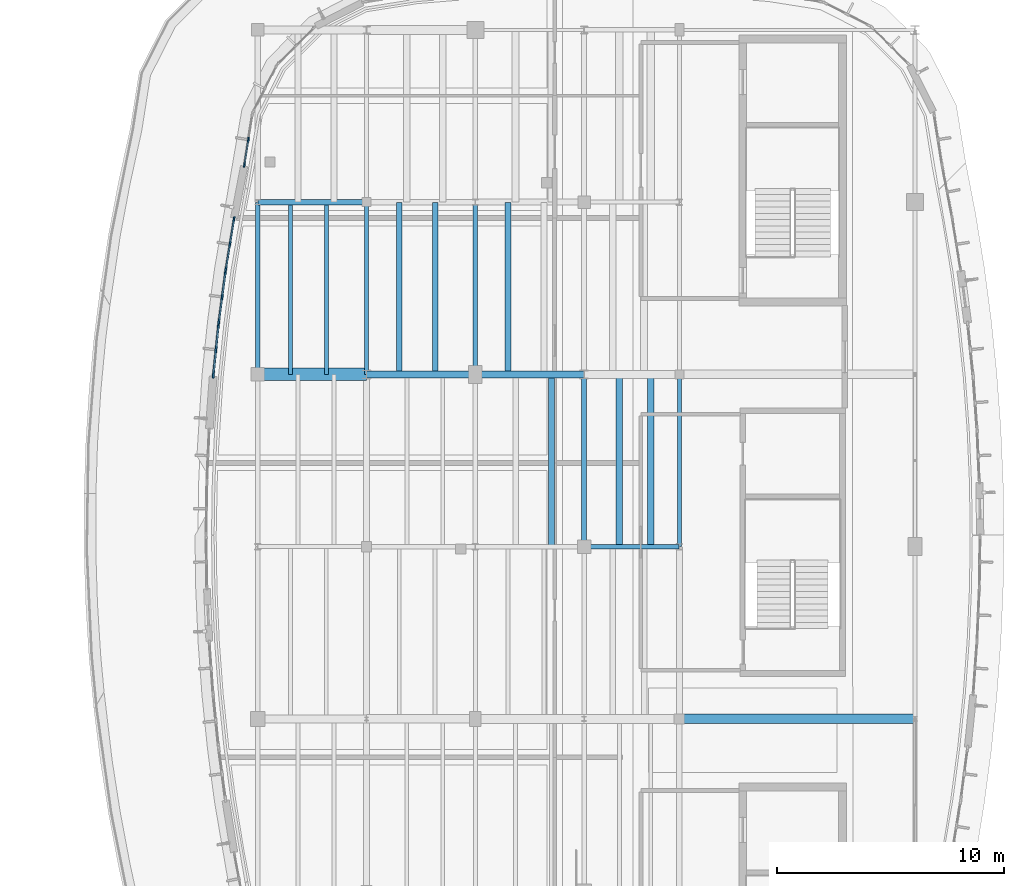
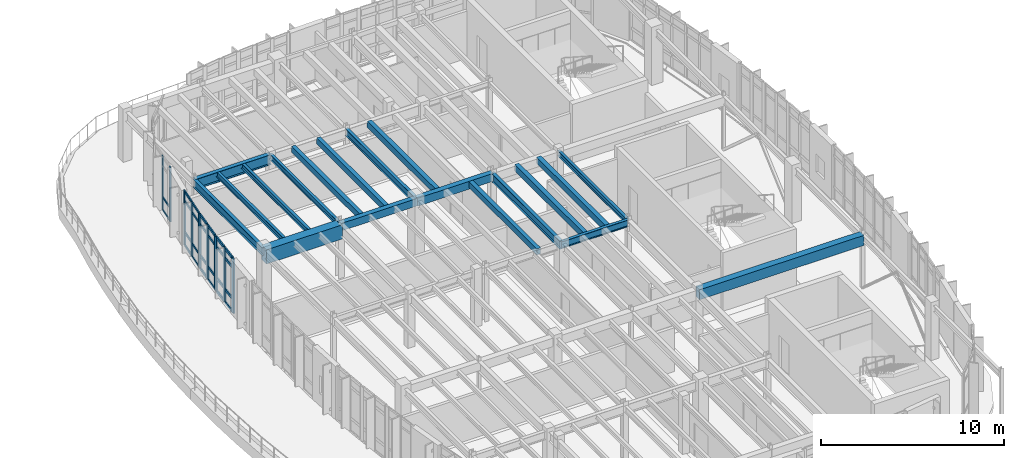
# One storey, part 45 of 105: 37 members, 19 beams, 4 elements without a shape of their own.
"""IFC4 building model written with IfcOpenShell, lengths in metres."""

from ifc_helpers import new_model, si_unit, direction, frame, origin, origin_2d, place, context, subcontext, project, spatial, rectangle, i_section, extrude, material, material_profile, profile_set, type_object, element, aggregate, save


model = new_model("IFC4")

# Units and contexts
model_context = context("Model", 3, precision=1e-05, world=origin(), true_north=direction((0.0, 1.0)))
body_context = subcontext(model_context, "Body", "Model", "MODEL_VIEW")
ifc_project = project(units=[si_unit("LENGTHUNIT", "METRE"), si_unit("AREAUNIT", "SQUARE_METRE"), si_unit("VOLUMEUNIT", "CUBIC_METRE"), si_unit("PLANEANGLEUNIT", "RADIAN"), si_unit("MASSUNIT", "GRAM", prefix="KILO")], contexts=[model_context])

# Site, building, storey
site_placement = place(None, origin())
site = spatial("IfcSite", under=ifc_project, at=site_placement, CompositionType="ELEMENT")
building_placement = place(site_placement, origin())
building = spatial("IfcBuilding", under=site, at=building_placement, Name="Corveleigh Park Community Centre", CompositionType="ELEMENT")
storey_placement = place(building_placement, frame((0.0, 0.0, 8.699951171875)))
storey = spatial("IfcBuildingStorey", under=building, at=storey_placement, Name="L02", CompositionType="ELEMENT", Elevation=8.699951171875)

# Beams
ifc_material_1 = material(Name="Concrete C40/50", Category="concrete")
ifc_material_profile_1 = material_profile(ifc_material_1, rectangle(XDim=0.25, YDim=0.39990234375, at=origin_2d()), Name="RC-250x400", Category="concrete")
ifc_profile_set_1 = profile_set([ifc_material_profile_1], Name="Concrete C40/50")
beam_type_1 = type_object("IfcBeamType", Name="BM-RC-250x400", PredefinedType="JOIST", material=ifc_profile_set_1)
for number, where, z_axis, x_axis, name in (
    (1, (145.639892578125, 89.0048828125, 3.442138671875), (0.0, 1.0, 0.0), (-1.0, 0.0, 0.0), "Secondary floor joist"),
    (2, (147.22412109375, 89.0048828125, 3.442138671875), (0.0, 1.0, 0.0), (-1.0, 0.0, 0.0), "Secondary floor joist"),
    (3, (152.360107421875, 81.405029296875, 3.442138671875), (0.0, 1.0, 0.0), (-1.0, 0.0, 0.0), "Secondary floor joist"),
):
    element("IfcBeam", number, at=place(storey_placement, frame(where, z_axis=z_axis, x_axis=x_axis)), inside=storey, type_object=beam_type_1, Name=name, PredefinedType="JOIST", context=body_context, shape_type="SweptSolid", body=[
        extrude(rectangle(XDim=0.25, YDim=0.39990234375, at=origin_2d()), origin(), (0.0, 0.0, 1.0), 7.590087890625),
    ])
ifc_material_profile_2 = material_profile(ifc_material_1, rectangle(XDim=0.27490234375, YDim=0.425048828125, at=origin_2d()), Name="RC-275x425", Category="concrete")
ifc_profile_set_2 = profile_set([ifc_material_profile_2], Name="Concrete C40/50")
beam_type_2 = type_object("IfcBeamType", Name="BM-RC-275x425", PredefinedType="JOIST", material=ifc_profile_set_2)
for number, where, z_axis, x_axis, name in (
    (4, (150.43994140625, 89.0048828125, 3.429443359375), (0.0, 1.0, 0.0), (-1.0, 0.0, 0.0), "Secondary floor joist"),
    (5, (155.35400390625, 81.405029296875, 3.429443359375), (0.0, 1.0, 0.0), (-1.0, 0.0, 0.0), "Secondary floor joist"),
    (6, (156.739990234375, 81.405029296875, 3.429443359375), (0.0, 1.0, 0.0), (-1.0, 0.0, 0.0), "Secondary floor joist"),
):
    element("IfcBeam", number, at=place(storey_placement, frame(where, z_axis=z_axis, x_axis=x_axis)), inside=storey, type_object=beam_type_2, Name=name, PredefinedType="JOIST", context=body_context, shape_type="SweptSolid", body=[
        extrude(rectangle(XDim=0.27490234375, YDim=0.425048828125, at=origin_2d()), origin(), (0.0, 0.0, 1.0), 7.590087890625),
    ])
ifc_material_profile_3 = material_profile(ifc_material_1, rectangle(XDim=0.300048828125, YDim=0.5, at=origin_2d()), Name="RC-300x500", Category="concrete")
ifc_profile_set_3 = profile_set([ifc_material_profile_3], Name="Concrete C40/50")
beam_type_3 = type_object("IfcBeamType", Name="BM-RC-300x500", PredefinedType="BEAM", material=ifc_profile_set_3)
beam_1_placement = place(storey_placement, frame((144.205078125, 89.0, 3.39208984375), z_axis=(1.0, 0.0, 0.0), x_axis=(0.0, 1.0, 0.0)))
element("IfcBeam", 7, at=beam_1_placement, inside=storey, type_object=beam_type_3, Name="V4 Girder X", PredefinedType="BEAM", context=body_context, shape_type="SweptSolid", body=[
    extrude(rectangle(XDim=0.300048828125, YDim=0.5, at=origin_2d()), origin(), (0.0, 0.0, 1.0), 4.7900390625),
])
ifc_material_profile_4 = material_profile(ifc_material_1, rectangle(XDim=0.324951171875, YDim=0.52490234375, at=origin_2d()), Name="RC-325x525", Category="concrete")
ifc_profile_set_4 = profile_set([ifc_material_profile_4], Name="Concrete C40/50")
beam_type_4 = type_object("IfcBeamType", Name="BM-RC-325x525", PredefinedType="BEAM", material=ifc_profile_set_4)
beam_2_placement = place(storey_placement, frame((149.0048828125, 89.0, 3.379638671875), z_axis=(1.0, 0.0, 0.0), x_axis=(0.0, 1.0, 0.0)))
element("IfcBeam", 8, at=beam_2_placement, inside=storey, type_object=beam_type_4, Name="V4 Girder X", PredefinedType="BEAM", context=body_context, shape_type="SweptSolid", body=[
    extrude(rectangle(XDim=0.324951171875, YDim=0.52490234375, at=origin_2d()), origin(), (0.0, 0.0, 1.0), 4.7900390625),
])
ifc_material_profile_5 = material_profile(ifc_material_1, rectangle(XDim=0.425048828125, YDim=0.675048828125, at=origin_2d()), Name="RC-425x675", Category="concrete")
ifc_profile_set_5 = profile_set([ifc_material_profile_5], Name="Concrete C40/50")
beam_type_5 = type_object("IfcBeamType", Name="BM-RC-425x675", PredefinedType="BEAM", material=ifc_profile_set_5)
beam_3_placement = place(storey_placement, frame((158.0048828125, 73.800048828125, 3.304443359375), z_axis=(1.0, 0.0, 0.0), x_axis=(0.0, 1.0, 0.0)))
element("IfcBeam", 9, at=beam_3_placement, inside=storey, type_object=beam_type_5, Name="V4 Girder X", PredefinedType="BEAM", context=body_context, shape_type="SweptSolid", body=[
    extrude(rectangle(XDim=0.425048828125, YDim=0.675048828125, at=origin_2d()), origin(), (0.0, 0.0, 1.0), 10.39013671875),
])
ifc_material_profile_6 = material_profile(ifc_material_1, rectangle(XDim=0.550048828125, YDim=0.949951171875, at=origin_2d()), Name="RC-550x950", Category="concrete")
ifc_profile_set_6 = profile_set([ifc_material_profile_6], Name="Concrete C40/50")
beam_type_6 = type_object("IfcBeamType", Name="BM-RC-550x950", PredefinedType="BEAM", material=ifc_profile_set_6)
beam_4_placement = place(storey_placement, frame((139.405029296875, 89.0, 3.162109375), z_axis=(1.0, 0.0, 0.0), x_axis=(0.0, 1.0, 0.0)))
element("IfcBeam", 10, at=beam_4_placement, inside=storey, type_object=beam_type_6, Name="V4 Girder X", PredefinedType="BEAM", context=body_context, shape_type="SweptSolid", body=[
    extrude(rectangle(XDim=0.550048828125, YDim=0.949951171875, at=origin_2d()), origin(), (0.0, 0.0, 1.0), 4.7900390625),
])
ifc_material_2 = material(Name="Steel S355", Category="steel")
ifc_material_profile_7 = material_profile(ifc_material_2, i_section(OverallWidth=0.17138671875, OverallDepth=0.35498046875, WebThickness=0.00732421875, FlangeThickness=0.011474609375, at=origin_2d()), Name="UKB 356x171x51", Category="steel")
ifc_profile_set_7 = profile_set([ifc_material_profile_7], Name="Steel S355")
beam_type_7 = type_object("IfcBeamType", Name="BM-STL-UKB356x51", PredefinedType="JOIST", material=ifc_profile_set_7)
for number, where, z_axis, x_axis, name in (
    (11, (140.840087890625, 89.0048828125, 3.45947265625), (0.0, 1.0, 0.0), (-1.0, 0.0, 0.0), "Secondary floor joist"),
    (12, (142.424072265625, 89.0048828125, 3.45947265625), (0.0, 1.0, 0.0), (-1.0, 0.0, 0.0), "Secondary floor joist"),
):
    element("IfcBeam", number, at=place(storey_placement, frame(where, z_axis=z_axis, x_axis=x_axis)), inside=storey, type_object=beam_type_7, Name=name, PredefinedType="JOIST", context=body_context, shape_type="SweptSolid", body=[
        extrude(i_section(OverallWidth=0.17138671875, OverallDepth=0.35498046875, WebThickness=0.00732421875, FlangeThickness=0.011474609375, at=origin_2d()), origin(), (0.0, 0.0, 1.0), 7.590087890625),
    ])
ifc_material_profile_8 = material_profile(ifc_material_2, i_section(OverallWidth=0.172119140625, OverallDepth=0.35791015625, WebThickness=0.008056640625, FlangeThickness=0.012939453125, at=origin_2d()), Name="UKB 356x171x57", Category="steel")
ifc_profile_set_8 = profile_set([ifc_material_profile_8], Name="Steel S355")
beam_type_8 = type_object("IfcBeamType", Name="BM-STL-UKB356x57", PredefinedType="BEAM", material=ifc_profile_set_8)
for number, where, z_axis, x_axis, name in (
    (13, (144.199951171875, 89.0048828125, 3.463134765625), (0.0, 1.0, 0.0), (-1.0, 0.0, 0.0), "V4 Girder Y"),
    (14, (158.0, 81.405029296875, 3.463134765625), (0.0, 1.0, 0.0), (-1.0, 0.0, 0.0), "V4 Girder Y"),
):
    element("IfcBeam", number, at=place(storey_placement, frame(where, z_axis=z_axis, x_axis=x_axis)), inside=storey, type_object=beam_type_8, Name=name, PredefinedType="BEAM", context=body_context, shape_type="SweptSolid", body=[
        extrude(i_section(OverallWidth=0.172119140625, OverallDepth=0.35791015625, WebThickness=0.008056640625, FlangeThickness=0.012939453125, at=origin_2d()), origin(), (0.0, 0.0, 1.0), 7.590087890625),
    ])
ifc_material_profile_9 = material_profile(ifc_material_2, i_section(OverallWidth=0.1904296875, OverallDepth=0.45703125, WebThickness=0.009033203125, FlangeThickness=0.014404296875, at=origin_2d()), Name="UKB 457x191x74", Category="steel")
ifc_profile_set_9 = profile_set([ifc_material_profile_9], Name="Steel S355")
beam_type_9 = type_object("IfcBeamType", Name="BM-STL-UKB457x74", PredefinedType="BEAM", material=ifc_profile_set_9)
beam_5_placement = place(storey_placement, frame((149.0, 89.0048828125, 3.41357421875), z_axis=(0.0, 1.0, 0.0), x_axis=(-1.0, 0.0, 0.0)))
element("IfcBeam", 15, at=beam_5_placement, inside=storey, type_object=beam_type_9, Name="V4 Girder Y", PredefinedType="BEAM", context=body_context, shape_type="SweptSolid", body=[
    extrude(i_section(OverallWidth=0.1904296875, OverallDepth=0.45703125, WebThickness=0.009033203125, FlangeThickness=0.014404296875, at=origin_2d()), origin(), (0.0, 0.0, 1.0), 7.590087890625),
])
ifc_material_profile_10 = material_profile(ifc_material_2, i_section(OverallWidth=0.19140625, OverallDepth=0.4599609375, WebThickness=0.010009765625, FlangeThickness=0.01611328125, at=origin_2d()), Name="UKB 457x191x82", Category="steel")
ifc_profile_set_10 = profile_set([ifc_material_profile_10], Name="Steel S355")
beam_type_10 = type_object("IfcBeamType", Name="BM-STL-UKB457x82", PredefinedType="BEAM", material=ifc_profile_set_10)
beam_6_placement = place(storey_placement, frame((153.804931640625, 81.39990234375, 3.412109375), z_axis=(1.0, 0.0, 0.0), x_axis=(0.0, 1.0, 0.0)))
element("IfcBeam", 16, at=beam_6_placement, inside=storey, type_object=beam_type_10, Name="V4 Girder X", PredefinedType="BEAM", context=body_context, shape_type="SweptSolid", body=[
    extrude(i_section(OverallWidth=0.19140625, OverallDepth=0.4599609375, WebThickness=0.010009765625, FlangeThickness=0.01611328125, at=origin_2d()), origin(), (0.0, 0.0, 1.0), 4.190185546875),
])
ifc_material_profile_11 = material_profile(ifc_material_2, i_section(OverallWidth=0.210693359375, OverallDepth=0.53955078125, WebThickness=0.01171875, FlangeThickness=0.018798828125, at=origin_2d()), Name="UKB 533x210x109", Category="steel")
ifc_profile_set_11 = profile_set([ifc_material_profile_11], Name="Steel S355")
beam_type_11 = type_object("IfcBeamType", Name="BM-STL-UKB533x109", PredefinedType="BEAM", material=ifc_profile_set_11)
for number, where, z_axis, x_axis, name in (
    (17, (139.39990234375, 89.0048828125, 3.3671875), (0.0, 1.0, 0.0), (-1.0, 0.0, 0.0), "V4 Girder Y"),
    (18, (153.800048828125, 81.405029296875, 3.372314453125), (0.0, 1.0, 0.0), (-1.0, 0.0, 0.0), "V4 Girder Y"),
):
    element("IfcBeam", number, at=place(storey_placement, frame(where, z_axis=z_axis, x_axis=x_axis)), inside=storey, type_object=beam_type_11, Name=name, PredefinedType="BEAM", context=body_context, shape_type="SweptSolid", body=[
        extrude(i_section(OverallWidth=0.210693359375, OverallDepth=0.53955078125, WebThickness=0.01171875, FlangeThickness=0.018798828125, at=origin_2d()), origin(), (0.0, 0.0, 1.0), 7.590087890625),
    ])
ifc_material_profile_12 = material_profile(ifc_material_2, i_section(OverallWidth=0.253662109375, OverallDepth=0.68359375, WebThickness=0.012451171875, FlangeThickness=0.01904296875, at=origin_2d()), Name="UKB 686x254x140", Category="steel")
ifc_profile_set_12 = profile_set([ifc_material_profile_12], Name="Steel S355")
beam_type_12 = type_object("IfcBeamType", Name="BM-STL-UKB686x140", PredefinedType="BEAM", material=ifc_profile_set_12)
beam_7_placement = place(storey_placement, frame((139.405029296875, 96.60009765625, 3.29541015625), z_axis=(1.0, 0.0, 0.0), x_axis=(0.0, 1.0, 0.0)))
element("IfcBeam", 19, at=beam_7_placement, inside=storey, type_object=beam_type_12, Name="V4 Girder X", PredefinedType="BEAM", context=body_context, shape_type="SweptSolid", body=[
    extrude(i_section(OverallWidth=0.253662109375, OverallDepth=0.68359375, WebThickness=0.012451171875, FlangeThickness=0.01904296875, at=origin_2d()), origin(), (0.0, 0.0, 1.0), 4.7900390625),
])

# Curtain wall, members
ifc_material_3 = material(Name="Anodised aluminium 6063-T6", Category="aluminium")
curtain_wall_type = type_object("IfcCurtainWallType", Name="CW-SYS-V4-L01", PredefinedType="NOTDEFINED", material=ifc_material_3)
curtain_wall_1_placement = place(storey_placement, origin())
curtain_wall_1 = element("IfcCurtainWall", 20, at=curtain_wall_1_placement, inside=storey, type_object=curtain_wall_type, Name="V4 L02 Curtain Wall 387", PredefinedType="NOTDEFINED")
ifc_material_profile_13 = material_profile(ifc_material_3, rectangle(XDim=0.070068359375, YDim=0.199951171875, at=origin_2d()), Name="ALU-M70x200", Category="aluminium")
ifc_profile_set_13 = profile_set([ifc_material_profile_13], Name="Anodised aluminium 6063-T6")
member_type_1 = type_object("IfcMemberType", Name="CWM-70x200", PredefinedType="MULLION", material=ifc_profile_set_13)
member_1_placement = place(storey_placement, frame((138.806396484375, 98.24365234375, 0.0), z_axis=(0.0, 0.0, 1.0), x_axis=(-0.987661875101, 0.156601470208, 0.0)))
member_1 = element("IfcMember", 21, at=member_1_placement, type_object=member_type_1, Name="CW08 mullion 1", PredefinedType="MULLION", context=body_context, shape_type="SweptSolid", body=[
    extrude(rectangle(XDim=0.070068359375, YDim=0.199951171875, at=origin_2d()), origin(), (0.0, 0.0, 1.0), 3.636962890625),
])
member_2_placement = place(storey_placement, frame((138.9833984375, 99.360107421875, 0.0), z_axis=(0.0, 0.0, 1.0), x_axis=(-0.987661875101, 0.156601470208, 0.0)))
member_2 = element("IfcMember", 22, at=member_2_placement, type_object=member_type_1, Name="CW08 mullion 2", PredefinedType="MULLION", context=body_context, shape_type="SweptSolid", body=[
    extrude(rectangle(XDim=0.070068359375, YDim=0.199951171875, at=origin_2d()), origin(), (0.0, 0.0, 1.0), 3.636962890625),
])

curtain_wall_2_placement = place(storey_placement, origin())
curtain_wall_2 = element("IfcCurtainWall", 23, at=curtain_wall_2_placement, inside=storey, type_object=curtain_wall_type, Name="V4 L02 Curtain Wall 388", PredefinedType="NOTDEFINED")
ifc_material_profile_14 = material_profile(ifc_material_3, rectangle(XDim=0.074951171875, YDim=0.219970703125, at=origin_2d()), Name="ALU-M75x220", Category="aluminium")
ifc_profile_set_14 = profile_set([ifc_material_profile_14], Name="Anodised aluminium 6063-T6")
member_type_2 = type_object("IfcMemberType", Name="CWM-75x220", PredefinedType="MULLION", material=ifc_profile_set_14)
member_3_placement = place(storey_placement, frame((137.987060546875, 93.62890625, 0.0), z_axis=(0.0, 0.0, 1.0), x_axis=(-0.986991410962, 0.160772991165, 0.0)))
member_3 = element("IfcMember", 24, at=member_3_placement, type_object=member_type_2, Name="CW08 mullion 1", PredefinedType="MULLION", context=body_context, shape_type="SweptSolid", body=[
    extrude(rectangle(XDim=0.074951171875, YDim=0.219970703125, at=origin_2d()), origin(), (0.0, 0.0, 1.0), 3.636962890625),
])
member_4_placement = place(storey_placement, frame((138.16796875, 94.739990234375, 0.0), z_axis=(0.0, 0.0, 1.0), x_axis=(-0.986991410962, 0.160772991165, 0.0)))
member_4 = element("IfcMember", 25, at=member_4_placement, type_object=member_type_2, Name="CW08 mullion 2", PredefinedType="MULLION", context=body_context, shape_type="SweptSolid", body=[
    extrude(rectangle(XDim=0.074951171875, YDim=0.219970703125, at=origin_2d()), origin(), (0.0, 0.0, 1.0), 3.636962890625),
])
member_5_placement = place(storey_placement, frame((138.348876953125, 95.85107421875, 0.0), z_axis=(0.0, 0.0, 1.0), x_axis=(-0.986991410962, 0.160772991165, 0.0)))
member_5 = element("IfcMember", 26, at=member_5_placement, type_object=member_type_2, Name="CW08 mullion 3", PredefinedType="MULLION", context=body_context, shape_type="SweptSolid", body=[
    extrude(rectangle(XDim=0.074951171875, YDim=0.219970703125, at=origin_2d()), origin(), (0.0, 0.0, 1.0), 3.636962890625),
])

curtain_wall_3_placement = place(storey_placement, origin())
curtain_wall_3 = element("IfcCurtainWall", 27, at=curtain_wall_3_placement, inside=storey, type_object=curtain_wall_type, Name="V4 L02 Curtain Wall 389", PredefinedType="NOTDEFINED")
ifc_material_profile_15 = material_profile(ifc_material_3, rectangle(XDim=0.080078125, YDim=0.25, at=origin_2d()), Name="ALU-M80x250", Category="aluminium")
ifc_profile_set_15 = profile_set([ifc_material_profile_15], Name="Anodised aluminium 6063-T6")
member_type_3 = type_object("IfcMemberType", Name="CWM-80x250", PredefinedType="MULLION", material=ifc_profile_set_15)
member_6_placement = place(storey_placement, frame((137.67822265625, 91.306640625, 0.0), z_axis=(0.0, 0.0, 1.0), x_axis=(-0.991317738614, 0.131488178592, 0.0)))
member_6 = element("IfcMember", 28, at=member_6_placement, type_object=member_type_3, Name="CW08 mullion 1", PredefinedType="MULLION", context=body_context, shape_type="SweptSolid", body=[
    extrude(rectangle(XDim=0.080078125, YDim=0.25, at=origin_2d()), origin(), (0.0, 0.0, 1.0), 3.636962890625),
])
member_7_placement = place(storey_placement, frame((137.825927734375, 92.42041015625, 0.0), z_axis=(0.0, 0.0, 1.0), x_axis=(-0.991317738614, 0.131488178592, 0.0)))
member_7 = element("IfcMember", 29, at=member_7_placement, type_object=member_type_3, Name="CW08 mullion 2", PredefinedType="MULLION", context=body_context, shape_type="SweptSolid", body=[
    extrude(rectangle(XDim=0.080078125, YDim=0.25, at=origin_2d()), origin(), (0.0, 0.0, 1.0), 3.636962890625),
])
member_8_placement = place(storey_placement, frame((137.9736328125, 93.534423828125, 0.0), z_axis=(0.0, 0.0, 1.0), x_axis=(-0.991317738614, 0.131488178592, 0.0)))
member_8 = element("IfcMember", 30, at=member_8_placement, type_object=member_type_3, Name="CW08 mullion 3", PredefinedType="MULLION", context=body_context, shape_type="SweptSolid", body=[
    extrude(rectangle(XDim=0.080078125, YDim=0.25, at=origin_2d()), origin(), (0.0, 0.0, 1.0), 3.636962890625),
])

curtain_wall_4_placement = place(storey_placement, origin())
curtain_wall_4 = element("IfcCurtainWall", 31, at=curtain_wall_4_placement, inside=storey, type_object=curtain_wall_type, Name="V4 L02 Curtain Wall 390", PredefinedType="NOTDEFINED")
ifc_material_profile_16 = material_profile(ifc_material_3, rectangle(XDim=0.0849609375, YDim=0.27490234375, at=origin_2d()), Name="ALU-M85x275", Category="aluminium")
ifc_profile_set_16 = profile_set([ifc_material_profile_16], Name="Anodised aluminium 6063-T6")
member_type_4 = type_object("IfcMemberType", Name="CWM-85x275", PredefinedType="MULLION", material=ifc_profile_set_16)
member_9_placement = place(storey_placement, frame((137.437255859375, 88.977294921875, 0.0), z_axis=(0.0, 0.0, 1.0), x_axis=(-0.994752310371, 0.102312467526, 0.0)))
member_9 = element("IfcMember", 32, at=member_9_placement, type_object=member_type_4, Name="CW08 mullion 1", PredefinedType="MULLION", context=body_context, shape_type="SweptSolid", body=[
    extrude(rectangle(XDim=0.0849609375, YDim=0.27490234375, at=origin_2d()), origin(), (0.0, 0.0, 1.0), 3.636962890625),
])
member_10_placement = place(storey_placement, frame((137.552001953125, 90.092041015625, 0.0), z_axis=(0.0, 0.0, 1.0), x_axis=(-0.994752310371, 0.102312467526, 0.0)))
member_10 = element("IfcMember", 33, at=member_10_placement, type_object=member_type_4, Name="CW08 mullion 2", PredefinedType="MULLION", context=body_context, shape_type="SweptSolid", body=[
    extrude(rectangle(XDim=0.0849609375, YDim=0.27490234375, at=origin_2d()), origin(), (0.0, 0.0, 1.0), 3.636962890625),
])
member_11_placement = place(storey_placement, frame((137.666748046875, 91.206787109375, 0.0), z_axis=(0.0, 0.0, 1.0), x_axis=(-0.994752310371, 0.102312467526, 0.0)))
member_11 = element("IfcMember", 34, at=member_11_placement, type_object=member_type_4, Name="CW08 mullion 3", PredefinedType="MULLION", context=body_context, shape_type="SweptSolid", body=[
    extrude(rectangle(XDim=0.0849609375, YDim=0.27490234375, at=origin_2d()), origin(), (0.0, 0.0, 1.0), 3.636962890625),
])

# Member
ifc_material_profile_17 = material_profile(ifc_material_3, rectangle(XDim=0.06494140625, YDim=0.139892578125, at=origin_2d()), Name="ALU-T65x140", Category="aluminium")
ifc_profile_set_17 = profile_set([ifc_material_profile_17], Name="Anodised aluminium 6063-T6")
member_type_5 = type_object("IfcMemberType", Name="CWT-65x140", PredefinedType="USERDEFINED", material=ifc_profile_set_17)
member_12_placement = place(storey_placement, frame((138.81201171875, 98.278076171875, 0.032470703125), z_axis=(0.156553666304, 0.987669453596, 0.0), x_axis=(-0.987669453596, 0.156553666304, 0.0)))
member_12 = element("IfcMember", 35, at=member_12_placement, type_object=member_type_5, Name="CW08 transom 1.1", ObjectType="TRANSOM", PredefinedType="USERDEFINED", context=body_context, shape_type="SweptSolid", body=[
    extrude(rectangle(XDim=0.06494140625, YDim=0.139892578125, at=origin_2d()), origin(), (0.0, 0.0, 1.0), 1.060546875),
])

member_13_placement = place(storey_placement, frame((138.81201171875, 98.278076171875, 0.900146484375), z_axis=(0.156553666304, 0.987669453596, 0.0), x_axis=(-0.987669453596, 0.156553666304, 0.0)))
member_13 = element("IfcMember", 36, at=member_13_placement, type_object=member_type_5, Name="CW08 transom 1.2", ObjectType="TRANSOM", PredefinedType="USERDEFINED", context=body_context, shape_type="SweptSolid", body=[
    extrude(rectangle(XDim=0.06494140625, YDim=0.139892578125, at=origin_2d()), origin(), (0.0, 0.0, 1.0), 1.060546875),
])

aggregate(curtain_wall_1, [member_1, member_2, member_12, member_13])

ifc_material_profile_18 = material_profile(ifc_material_3, rectangle(XDim=0.070068359375, YDim=0.155029296875, at=origin_2d()), Name="ALU-T70x155", Category="aluminium")
ifc_profile_set_18 = profile_set([ifc_material_profile_18], Name="Anodised aluminium 6063-T6")
member_type_6 = type_object("IfcMemberType", Name="CWT-70x155", PredefinedType="USERDEFINED", material=ifc_profile_set_18)
member_14_placement = place(storey_placement, frame((137.9931640625, 93.666015625, 0.03515625), z_axis=(0.160591358006, 0.987020980392, 0.0), x_axis=(-0.987020980392, 0.160591358006, 0.0)))
member_14 = element("IfcMember", 37, at=member_14_placement, type_object=member_type_6, Name="CW08 transom 1.1", ObjectType="TRANSOM", PredefinedType="USERDEFINED", context=body_context, shape_type="SweptSolid", body=[
    extrude(rectangle(XDim=0.070068359375, YDim=0.155029296875, at=origin_2d()), origin(), (0.0, 0.0, 1.0), 1.050537109375),
])

member_15_placement = place(storey_placement, frame((137.9931640625, 93.666015625, 0.900146484375), z_axis=(0.160591358006, 0.987020980392, 0.0), x_axis=(-0.987020980392, 0.160591358006, 0.0)))
member_15 = element("IfcMember", 38, at=member_15_placement, type_object=member_type_6, Name="CW08 transom 1.2", ObjectType="TRANSOM", PredefinedType="USERDEFINED", context=body_context, shape_type="SweptSolid", body=[
    extrude(rectangle(XDim=0.070068359375, YDim=0.155029296875, at=origin_2d()), origin(), (0.0, 0.0, 1.0), 1.050537109375),
])

member_16_placement = place(storey_placement, frame((137.9931640625, 93.666015625, 2.987060546875), z_axis=(0.160591358006, 0.987020980392, 0.0), x_axis=(-0.987020980392, 0.160591358006, 0.0)))
member_16 = element("IfcMember", 39, at=member_16_placement, type_object=member_type_6, Name="CW08 transom 1.3", ObjectType="TRANSOM", PredefinedType="USERDEFINED", context=body_context, shape_type="SweptSolid", body=[
    extrude(rectangle(XDim=0.070068359375, YDim=0.155029296875, at=origin_2d()), origin(), (0.0, 0.0, 1.0), 1.050537109375),
])

member_17_placement = place(storey_placement, frame((137.9931640625, 93.666015625, 3.60205078125), z_axis=(0.160591358006, 0.987020980392, 0.0), x_axis=(-0.987020980392, 0.160591358006, 0.0)))
member_17 = element("IfcMember", 40, at=member_17_placement, type_object=member_type_6, Name="CW08 transom 1.4", ObjectType="TRANSOM", PredefinedType="USERDEFINED", context=body_context, shape_type="SweptSolid", body=[
    extrude(rectangle(XDim=0.070068359375, YDim=0.155029296875, at=origin_2d()), origin(), (0.0, 0.0, 1.0), 1.050537109375),
])

member_18_placement = place(storey_placement, frame((138.174072265625, 94.777099609375, 0.03515625), z_axis=(0.160817755996, 0.986984118087, 0.0), x_axis=(-0.986984118087, 0.160817755996, 0.0)))
member_18 = element("IfcMember", 41, at=member_18_placement, type_object=member_type_6, Name="CW08 transom 2.1", ObjectType="TRANSOM", PredefinedType="USERDEFINED", context=body_context, shape_type="SweptSolid", body=[
    extrude(rectangle(XDim=0.070068359375, YDim=0.155029296875, at=origin_2d()), origin(), (0.0, 0.0, 1.0), 1.050537109375),
])

member_19_placement = place(storey_placement, frame((138.174072265625, 94.777099609375, 0.900146484375), z_axis=(0.160817755996, 0.986984118087, 0.0), x_axis=(-0.986984118087, 0.160817755996, 0.0)))
member_19 = element("IfcMember", 42, at=member_19_placement, type_object=member_type_6, Name="CW08 transom 2.2", ObjectType="TRANSOM", PredefinedType="USERDEFINED", context=body_context, shape_type="SweptSolid", body=[
    extrude(rectangle(XDim=0.070068359375, YDim=0.155029296875, at=origin_2d()), origin(), (0.0, 0.0, 1.0), 1.050537109375),
])

member_20_placement = place(storey_placement, frame((138.174072265625, 94.777099609375, 2.987060546875), z_axis=(0.160817755996, 0.986984118087, 0.0), x_axis=(-0.986984118087, 0.160817755996, 0.0)))
member_20 = element("IfcMember", 43, at=member_20_placement, type_object=member_type_6, Name="CW08 transom 2.3", ObjectType="TRANSOM", PredefinedType="USERDEFINED", context=body_context, shape_type="SweptSolid", body=[
    extrude(rectangle(XDim=0.070068359375, YDim=0.155029296875, at=origin_2d()), origin(), (0.0, 0.0, 1.0), 1.050537109375),
])

member_21_placement = place(storey_placement, frame((138.174072265625, 94.777099609375, 3.60205078125), z_axis=(0.160817755996, 0.986984118087, 0.0), x_axis=(-0.986984118087, 0.160817755996, 0.0)))
member_21 = element("IfcMember", 44, at=member_21_placement, type_object=member_type_6, Name="CW08 transom 2.4", ObjectType="TRANSOM", PredefinedType="USERDEFINED", context=body_context, shape_type="SweptSolid", body=[
    extrude(rectangle(XDim=0.070068359375, YDim=0.155029296875, at=origin_2d()), origin(), (0.0, 0.0, 1.0), 1.050537109375),
])

aggregate(curtain_wall_2, [member_3, member_4, member_5, member_14, member_15, member_16, member_17, member_18, member_19, member_20, member_21])

ifc_material_profile_19 = material_profile(ifc_material_3, rectangle(XDim=0.074951171875, YDim=0.175048828125, at=origin_2d()), Name="ALU-T75x175", Category="aluminium")
ifc_profile_set_19 = profile_set([ifc_material_profile_19], Name="Anodised aluminium 6063-T6")
member_type_7 = type_object("IfcMemberType", Name="CWT-75x175", PredefinedType="USERDEFINED", material=ifc_profile_set_19)
member_22_placement = place(storey_placement, frame((137.68359375, 91.34619140625, 0.03759765625), z_axis=(0.131458884507, 0.991321623735, 0.0), x_axis=(-0.991321623735, 0.131458884507, 0.0)))
member_22 = element("IfcMember", 45, at=member_22_placement, type_object=member_type_7, Name="CW08 transom 1.1", ObjectType="TRANSOM", PredefinedType="USERDEFINED", context=body_context, shape_type="SweptSolid", body=[
    extrude(rectangle(XDim=0.074951171875, YDim=0.175048828125, at=origin_2d()), origin(), (0.0, 0.0, 1.0), 1.043701171875),
])

member_23_placement = place(storey_placement, frame((137.68359375, 91.34619140625, 0.900146484375), z_axis=(0.131458884507, 0.991321623735, 0.0), x_axis=(-0.991321623735, 0.131458884507, 0.0)))
member_23 = element("IfcMember", 46, at=member_23_placement, type_object=member_type_7, Name="CW08 transom 1.2", ObjectType="TRANSOM", PredefinedType="USERDEFINED", context=body_context, shape_type="SweptSolid", body=[
    extrude(rectangle(XDim=0.074951171875, YDim=0.175048828125, at=origin_2d()), origin(), (0.0, 0.0, 1.0), 1.043701171875),
])

member_24_placement = place(storey_placement, frame((137.68359375, 91.34619140625, 2.987060546875), z_axis=(0.131458884507, 0.991321623735, 0.0), x_axis=(-0.991321623735, 0.131458884507, 0.0)))
member_24 = element("IfcMember", 47, at=member_24_placement, type_object=member_type_7, Name="CW08 transom 1.3", ObjectType="TRANSOM", PredefinedType="USERDEFINED", context=body_context, shape_type="SweptSolid", body=[
    extrude(rectangle(XDim=0.074951171875, YDim=0.175048828125, at=origin_2d()), origin(), (0.0, 0.0, 1.0), 1.043701171875),
])

member_25_placement = place(storey_placement, frame((137.68359375, 91.34619140625, 3.599609375), z_axis=(0.131458884507, 0.991321623735, 0.0), x_axis=(-0.991321623735, 0.131458884507, 0.0)))
member_25 = element("IfcMember", 48, at=member_25_placement, type_object=member_type_7, Name="CW08 transom 1.4", ObjectType="TRANSOM", PredefinedType="USERDEFINED", context=body_context, shape_type="SweptSolid", body=[
    extrude(rectangle(XDim=0.074951171875, YDim=0.175048828125, at=origin_2d()), origin(), (0.0, 0.0, 1.0), 1.043701171875),
])

member_26_placement = place(storey_placement, frame((137.831298828125, 92.460205078125, 0.03759765625), z_axis=(0.131489374546, 0.991317579982, 0.0), x_axis=(-0.991317579982, 0.131489374546, 0.0)))
member_26 = element("IfcMember", 49, at=member_26_placement, type_object=member_type_7, Name="CW08 transom 2.1", ObjectType="TRANSOM", PredefinedType="USERDEFINED", context=body_context, shape_type="SweptSolid", body=[
    extrude(rectangle(XDim=0.074951171875, YDim=0.175048828125, at=origin_2d()), origin(), (0.0, 0.0, 1.0), 1.04345703125),
])

member_27_placement = place(storey_placement, frame((137.831298828125, 92.460205078125, 0.900146484375), z_axis=(0.131489374546, 0.991317579982, 0.0), x_axis=(-0.991317579982, 0.131489374546, 0.0)))
member_27 = element("IfcMember", 50, at=member_27_placement, type_object=member_type_7, Name="CW08 transom 2.2", ObjectType="TRANSOM", PredefinedType="USERDEFINED", context=body_context, shape_type="SweptSolid", body=[
    extrude(rectangle(XDim=0.074951171875, YDim=0.175048828125, at=origin_2d()), origin(), (0.0, 0.0, 1.0), 1.04345703125),
])

member_28_placement = place(storey_placement, frame((137.831298828125, 92.460205078125, 2.987060546875), z_axis=(0.131489374546, 0.991317579982, 0.0), x_axis=(-0.991317579982, 0.131489374546, 0.0)))
member_28 = element("IfcMember", 51, at=member_28_placement, type_object=member_type_7, Name="CW08 transom 2.3", ObjectType="TRANSOM", PredefinedType="USERDEFINED", context=body_context, shape_type="SweptSolid", body=[
    extrude(rectangle(XDim=0.074951171875, YDim=0.175048828125, at=origin_2d()), origin(), (0.0, 0.0, 1.0), 1.04345703125),
])

member_29_placement = place(storey_placement, frame((137.831298828125, 92.460205078125, 3.599609375), z_axis=(0.131489374546, 0.991317579982, 0.0), x_axis=(-0.991317579982, 0.131489374546, 0.0)))
member_29 = element("IfcMember", 52, at=member_29_placement, type_object=member_type_7, Name="CW08 transom 2.4", ObjectType="TRANSOM", PredefinedType="USERDEFINED", context=body_context, shape_type="SweptSolid", body=[
    extrude(rectangle(XDim=0.074951171875, YDim=0.175048828125, at=origin_2d()), origin(), (0.0, 0.0, 1.0), 1.04345703125),
])

aggregate(curtain_wall_3, [member_6, member_7, member_8, member_22, member_23, member_24, member_25, member_26, member_27, member_28, member_29])

ifc_material_profile_20 = material_profile(ifc_material_3, rectangle(XDim=0.080078125, YDim=0.195068359375, at=origin_2d()), Name="ALU-T80x195", Category="aluminium")
ifc_profile_set_20 = profile_set([ifc_material_profile_20], Name="Anodised aluminium 6063-T6")
member_type_8 = type_object("IfcMemberType", Name="CWT-80x195", PredefinedType="USERDEFINED", material=ifc_profile_set_20)
member_30_placement = place(storey_placement, frame((137.441650390625, 89.01953125, 0.0400390625), z_axis=(0.102304000154, 0.994753181223, 0.0), x_axis=(-0.994753181223, 0.102304000154, 0.0)))
member_30 = element("IfcMember", 53, at=member_30_placement, type_object=member_type_8, Name="CW08 transom 1.1", ObjectType="TRANSOM", PredefinedType="USERDEFINED", context=body_context, shape_type="SweptSolid", body=[
    extrude(rectangle(XDim=0.080078125, YDim=0.195068359375, at=origin_2d()), origin(), (0.0, 0.0, 1.0), 1.03564453125),
])

member_31_placement = place(storey_placement, frame((137.441650390625, 89.01953125, 0.900146484375), z_axis=(0.102304000154, 0.994753181223, 0.0), x_axis=(-0.994753181223, 0.102304000154, 0.0)))
member_31 = element("IfcMember", 54, at=member_31_placement, type_object=member_type_8, Name="CW08 transom 1.2", ObjectType="TRANSOM", PredefinedType="USERDEFINED", context=body_context, shape_type="SweptSolid", body=[
    extrude(rectangle(XDim=0.080078125, YDim=0.195068359375, at=origin_2d()), origin(), (0.0, 0.0, 1.0), 1.03564453125),
])

member_32_placement = place(storey_placement, frame((137.441650390625, 89.01953125, 2.987060546875), z_axis=(0.102304000154, 0.994753181223, 0.0), x_axis=(-0.994753181223, 0.102304000154, 0.0)))
member_32 = element("IfcMember", 55, at=member_32_placement, type_object=member_type_8, Name="CW08 transom 1.3", ObjectType="TRANSOM", PredefinedType="USERDEFINED", context=body_context, shape_type="SweptSolid", body=[
    extrude(rectangle(XDim=0.080078125, YDim=0.195068359375, at=origin_2d()), origin(), (0.0, 0.0, 1.0), 1.03564453125),
])

member_33_placement = place(storey_placement, frame((137.441650390625, 89.01953125, 3.59716796875), z_axis=(0.102304000154, 0.994753181223, 0.0), x_axis=(-0.994753181223, 0.102304000154, 0.0)))
member_33 = element("IfcMember", 56, at=member_33_placement, type_object=member_type_8, Name="CW08 transom 1.4", ObjectType="TRANSOM", PredefinedType="USERDEFINED", context=body_context, shape_type="SweptSolid", body=[
    extrude(rectangle(XDim=0.080078125, YDim=0.195068359375, at=origin_2d()), origin(), (0.0, 0.0, 1.0), 1.03564453125),
])

member_34_placement = place(storey_placement, frame((137.556396484375, 90.13427734375, 0.0400390625), z_axis=(0.102304000154, 0.994753181223, 0.0), x_axis=(-0.994753181223, 0.102304000154, 0.0)))
member_34 = element("IfcMember", 57, at=member_34_placement, type_object=member_type_8, Name="CW08 transom 2.1", ObjectType="TRANSOM", PredefinedType="USERDEFINED", context=body_context, shape_type="SweptSolid", body=[
    extrude(rectangle(XDim=0.080078125, YDim=0.195068359375, at=origin_2d()), origin(), (0.0, 0.0, 1.0), 1.03564453125),
])

member_35_placement = place(storey_placement, frame((137.556396484375, 90.13427734375, 0.900146484375), z_axis=(0.102304000154, 0.994753181223, 0.0), x_axis=(-0.994753181223, 0.102304000154, 0.0)))
member_35 = element("IfcMember", 58, at=member_35_placement, type_object=member_type_8, Name="CW08 transom 2.2", ObjectType="TRANSOM", PredefinedType="USERDEFINED", context=body_context, shape_type="SweptSolid", body=[
    extrude(rectangle(XDim=0.080078125, YDim=0.195068359375, at=origin_2d()), origin(), (0.0, 0.0, 1.0), 1.03564453125),
])

member_36_placement = place(storey_placement, frame((137.556396484375, 90.13427734375, 2.987060546875), z_axis=(0.102304000154, 0.994753181223, 0.0), x_axis=(-0.994753181223, 0.102304000154, 0.0)))
member_36 = element("IfcMember", 59, at=member_36_placement, type_object=member_type_8, Name="CW08 transom 2.3", ObjectType="TRANSOM", PredefinedType="USERDEFINED", context=body_context, shape_type="SweptSolid", body=[
    extrude(rectangle(XDim=0.080078125, YDim=0.195068359375, at=origin_2d()), origin(), (0.0, 0.0, 1.0), 1.03564453125),
])

member_37_placement = place(storey_placement, frame((137.556396484375, 90.13427734375, 3.59716796875), z_axis=(0.102304000154, 0.994753181223, 0.0), x_axis=(-0.994753181223, 0.102304000154, 0.0)))
member_37 = element("IfcMember", 60, at=member_37_placement, type_object=member_type_8, Name="CW08 transom 2.4", ObjectType="TRANSOM", PredefinedType="USERDEFINED", context=body_context, shape_type="SweptSolid", body=[
    extrude(rectangle(XDim=0.080078125, YDim=0.195068359375, at=origin_2d()), origin(), (0.0, 0.0, 1.0), 1.03564453125),
])

aggregate(curtain_wall_4, [member_9, member_10, member_11, member_30, member_31, member_32, member_33, member_34, member_35, member_36, member_37])

save(model, "model.ifc")
